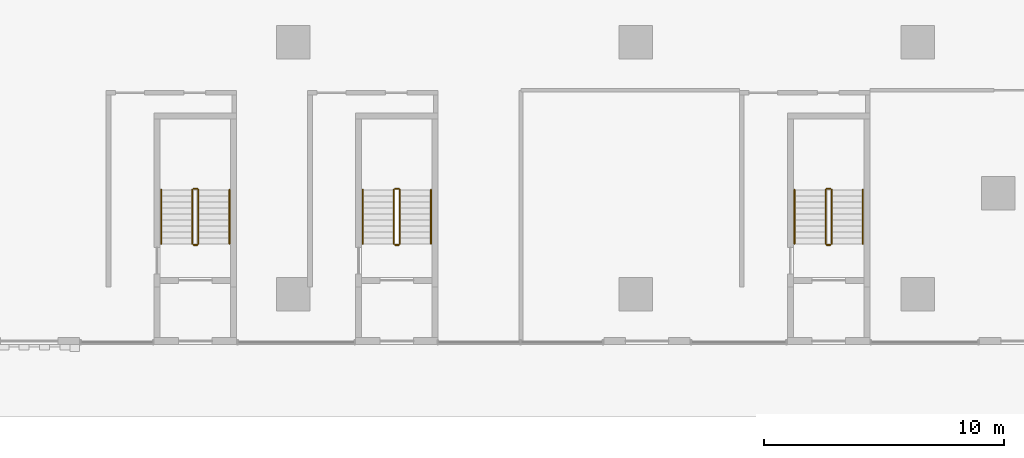
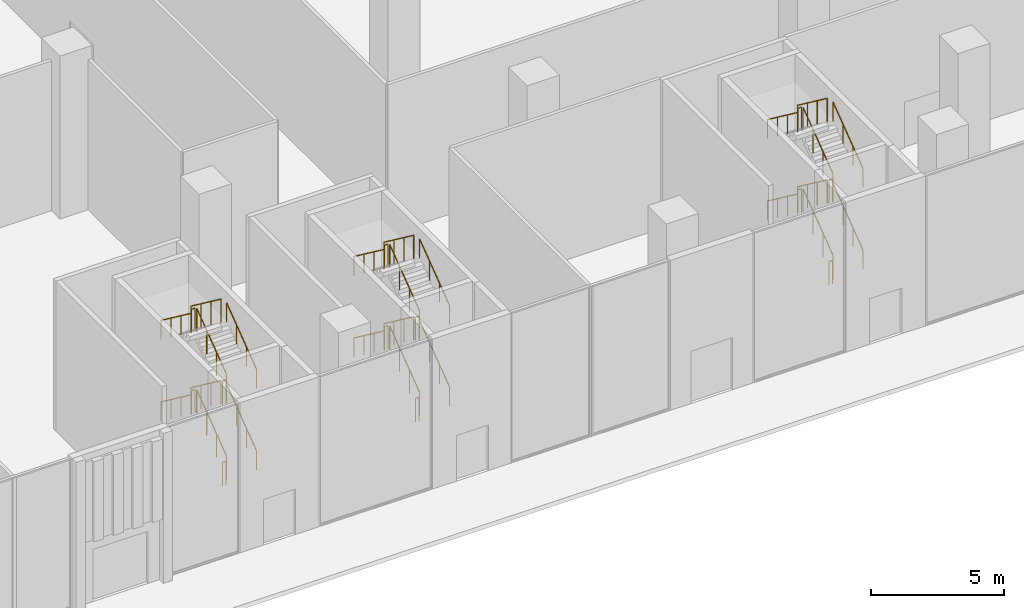
# One storey, part 21 of 26: 36 railings.
"""IFC4 building model written with IfcOpenShell, lengths in metres."""

from ifc_helpers import new_model, si_unit, direction, frame, origin, origin_2d, place, context, subcontext, project, spatial, circle, extrude, source, transform, mapped, material, type_object, element, save


model = new_model("IFC4")

# Units and contexts
model_context = context("Model", 3, precision=1e-05, world=origin(), true_north=direction((0.0, 1.0)))
body_context = subcontext(model_context, "Body", "Model", "MODEL_VIEW")
ifc_project = project(units=[si_unit("LENGTHUNIT", "METRE"), si_unit("AREAUNIT", "SQUARE_METRE"), si_unit("VOLUMEUNIT", "CUBIC_METRE"), si_unit("PLANEANGLEUNIT", "RADIAN"), si_unit("MASSUNIT", "GRAM", prefix="KILO")], contexts=[model_context])

# Site, building, storey
site_placement = place(None, origin())
site = spatial("IfcSite", under=ifc_project, at=site_placement, CompositionType="ELEMENT")
building_placement = place(site_placement, origin())
building = spatial("IfcBuilding", under=site, at=building_placement, Name="Aurelian Terraces", CompositionType="ELEMENT")
storey_placement = place(building_placement, origin())
storey = spatial("IfcBuildingStorey", under=building, at=storey_placement, Name="L00", CompositionType="ELEMENT", Elevation=0.0)

# Railings
ifc_material = material(Name="Stainless steel", Category="steel")
railing_type_1 = type_object("IfcRailingType", Name="Stair guard 1100", PredefinedType="GUARDRAIL", material=ifc_material)
shared_shape_1 = source(origin(), body_context, "Body", "SweptSolid", [
    extrude(circle(Radius=0.024, at=origin_2d()), frame((0.0, 0.0, 1.076), z_axis=(-1.0, 0.0, 0.0), x_axis=(0.0, -1.0, 0.0)), (0.0, 0.0, 1.0), 0.15),
    extrude(circle(Radius=0.021, at=origin_2d()), origin(), (0.0, 0.0, 1.0), 1.052),
    extrude(circle(Radius=0.021, at=origin_2d()), frame((-0.15, 0.0, 0.0)), (0.0, 0.0, 1.0), 1.052),
])
for number, where, name in (
    (1, (42.2, 4.4, 1.875), "L00 S2 stair guard 2"),
    (2, (42.2, 2.05, 3.75), "L00 S2 stair guard 4"),
    (3, (42.2, 4.4, 5.625), "L00 S2 stair guard 6"),
    (4, (42.2, 2.05, 0.0), "L00 S2 stair guard 8"),
    (5, (60.2, 4.4, 1.875), "L00 S6 stair guard 2"),
    (6, (60.2, 2.05, 3.75), "L00 S6 stair guard 4"),
    (7, (60.2, 4.4, 5.625), "L00 S6 stair guard 6"),
    (8, (60.2, 2.05, 0.0), "L00 S6 stair guard 8"),
    (9, (33.8, 4.4, 1.875), "L00 S7 stair guard 2"),
    (10, (33.8, 2.05, 3.75), "L00 S7 stair guard 4"),
    (11, (33.8, 4.4, 5.625), "L00 S7 stair guard 6"),
    (12, (33.8, 2.05, 0.0), "L00 S7 stair guard 8"),
):
    element("IfcRailing", number, at=place(storey_placement, frame(where)), inside=storey, type_object=railing_type_1, Name=name, PredefinedType="GUARDRAIL", context=body_context, shape_type="MappedRepresentation", body=[
        mapped(shared_shape_1, transform((0.0, 0.0, 0.0), scale=1.0)),
    ])
shared_shape_2 = source(origin(), body_context, "Body", "SweptSolid", [
    extrude(circle(Radius=0.024, at=origin_2d()), frame((0.0, 0.0, 1.076), z_axis=(0.0, 0.8, 0.6), x_axis=(-1.0, 0.0, 0.0)), (0.0, 0.0, 1.0), 2.8125),
    extrude(circle(Radius=0.021, at=origin_2d()), origin(), (0.0, 0.0, 1.0), 1.052),
    extrude(circle(Radius=0.021, at=origin_2d()), frame((0.0, 0.75, 0.5625)), (0.0, 0.0, 1.0), 1.052),
    extrude(circle(Radius=0.021, at=origin_2d()), frame((0.0, 1.5, 1.125)), (0.0, 0.0, 1.0), 1.052),
    extrude(circle(Radius=0.021, at=origin_2d()), frame((0.0, 2.25, 1.6875)), (0.0, 0.0, 1.0), 1.052),
])
for number, where, name in (
    (13, (42.25, 2.1, 0.1875), "L00 S2 stair guard 1"),
    (14, (42.25, 2.1, 3.9375), "L00 S2 stair guard 5"),
    (15, (60.25, 2.1, 0.1875), "L00 S6 stair guard 1"),
    (16, (60.25, 2.1, 3.9375), "L00 S6 stair guard 5"),
    (17, (33.85, 2.1, 0.1875), "L00 S7 stair guard 1"),
    (18, (33.85, 2.1, 3.9375), "L00 S7 stair guard 5"),
):
    element("IfcRailing", number, at=place(storey_placement, frame(where)), inside=storey, type_object=railing_type_1, Name=name, PredefinedType="GUARDRAIL", context=body_context, shape_type="MappedRepresentation", body=[
        mapped(shared_shape_2, transform((0.0, 0.0, 0.0), scale=1.0)),
    ])
shared_shape_3 = source(origin(), body_context, "Body", "SweptSolid", [
    extrude(circle(Radius=0.024, at=origin_2d()), frame((0.0, 0.0, 1.076), z_axis=(0.0, -0.8, 0.6), x_axis=(1.0, 0.0, 0.0)), (0.0, 0.0, 1.0), 2.8125),
    extrude(circle(Radius=0.021, at=origin_2d()), origin(), (0.0, 0.0, 1.0), 1.052),
    extrude(circle(Radius=0.021, at=origin_2d()), frame((0.0, -0.75, 0.5625)), (0.0, 0.0, 1.0), 1.052),
    extrude(circle(Radius=0.021, at=origin_2d()), frame((0.0, -1.5, 1.125)), (0.0, 0.0, 1.0), 1.052),
    extrude(circle(Radius=0.021, at=origin_2d()), frame((0.0, -2.25, 1.6875)), (0.0, 0.0, 1.0), 1.052),
])
for number, where, name in (
    (19, (42.0, 4.35, 2.0625), "L00 S2 stair guard 3"),
    (20, (42.0, 4.35, 5.8125), "L00 S2 stair guard 7"),
    (21, (60.0, 4.35, 2.0625), "L00 S6 stair guard 3"),
    (22, (60.0, 4.35, 5.8125), "L00 S6 stair guard 7"),
    (23, (33.6, 4.35, 2.0625), "L00 S7 stair guard 3"),
    (24, (33.6, 4.35, 5.8125), "L00 S7 stair guard 7"),
):
    element("IfcRailing", number, at=place(storey_placement, frame(where)), inside=storey, type_object=railing_type_1, Name=name, PredefinedType="GUARDRAIL", context=body_context, shape_type="MappedRepresentation", body=[
        mapped(shared_shape_3, transform((0.0, 0.0, 0.0), scale=1.0)),
    ])
railing_type_2 = type_object("IfcRailingType", Name="Stair handrail", PredefinedType="HANDRAIL", material=ifc_material)
shared_shape_4 = source(origin(), body_context, "Body", "SweptSolid", [
    extrude(circle(Radius=0.024, at=origin_2d()), frame((0.0, 0.0, 0.876), z_axis=(0.0, 0.8, 0.6), x_axis=(-1.0, 0.0, 0.0)), (0.0, 0.0, 1.0), 2.8125),
    extrude(circle(Radius=0.021, at=origin_2d()), origin(), (0.0, 0.0, 1.0), 0.852),
    extrude(circle(Radius=0.021, at=origin_2d()), frame((0.0, 0.75, 0.5625)), (0.0, 0.0, 1.0), 0.852),
    extrude(circle(Radius=0.021, at=origin_2d()), frame((0.0, 1.5, 1.125)), (0.0, 0.0, 1.0), 0.852),
    extrude(circle(Radius=0.021, at=origin_2d()), frame((0.0, 2.25, 1.6875)), (0.0, 0.0, 1.0), 0.852),
])
for number, where, name in (
    (25, (43.55, 2.1, 0.1875), "L00 S2 stair handrail 1"),
    (26, (43.55, 2.1, 3.9375), "L00 S2 stair handrail 3"),
    (27, (61.55, 2.1, 0.1875), "L00 S6 stair handrail 1"),
    (28, (61.55, 2.1, 3.9375), "L00 S6 stair handrail 3"),
    (29, (35.15, 2.1, 0.1875), "L00 S7 stair handrail 1"),
    (30, (35.15, 2.1, 3.9375), "L00 S7 stair handrail 3"),
):
    element("IfcRailing", number, at=place(storey_placement, frame(where)), inside=storey, type_object=railing_type_2, Name=name, PredefinedType="HANDRAIL", context=body_context, shape_type="MappedRepresentation", body=[
        mapped(shared_shape_4, transform((0.0, 0.0, 0.0), scale=1.0)),
    ])
shared_shape_5 = source(origin(), body_context, "Body", "SweptSolid", [
    extrude(circle(Radius=0.024, at=origin_2d()), frame((0.0, 0.0, 0.876), z_axis=(0.0, -0.8, 0.6), x_axis=(1.0, 0.0, 0.0)), (0.0, 0.0, 1.0), 2.8125),
    extrude(circle(Radius=0.021, at=origin_2d()), origin(), (0.0, 0.0, 1.0), 0.852),
    extrude(circle(Radius=0.021, at=origin_2d()), frame((0.0, -0.75, 0.5625)), (0.0, 0.0, 1.0), 0.852),
    extrude(circle(Radius=0.021, at=origin_2d()), frame((0.0, -1.5, 1.125)), (0.0, 0.0, 1.0), 0.852),
    extrude(circle(Radius=0.021, at=origin_2d()), frame((0.0, -2.25, 1.6875)), (0.0, 0.0, 1.0), 0.852),
])
for number, where, name in (
    (31, (40.7, 4.35, 2.0625), "L00 S2 stair handrail 2"),
    (32, (40.7, 4.35, 5.8125), "L00 S2 stair handrail 4"),
    (33, (58.7, 4.35, 2.0625), "L00 S6 stair handrail 2"),
    (34, (58.7, 4.35, 5.8125), "L00 S6 stair handrail 4"),
    (35, (32.3, 4.35, 2.0625), "L00 S7 stair handrail 2"),
    (36, (32.3, 4.35, 5.8125), "L00 S7 stair handrail 4"),
):
    element("IfcRailing", number, at=place(storey_placement, frame(where)), inside=storey, type_object=railing_type_2, Name=name, PredefinedType="HANDRAIL", context=body_context, shape_type="MappedRepresentation", body=[
        mapped(shared_shape_5, transform((0.0, 0.0, 0.0), scale=1.0)),
    ])

save(model, "model.ifc")
